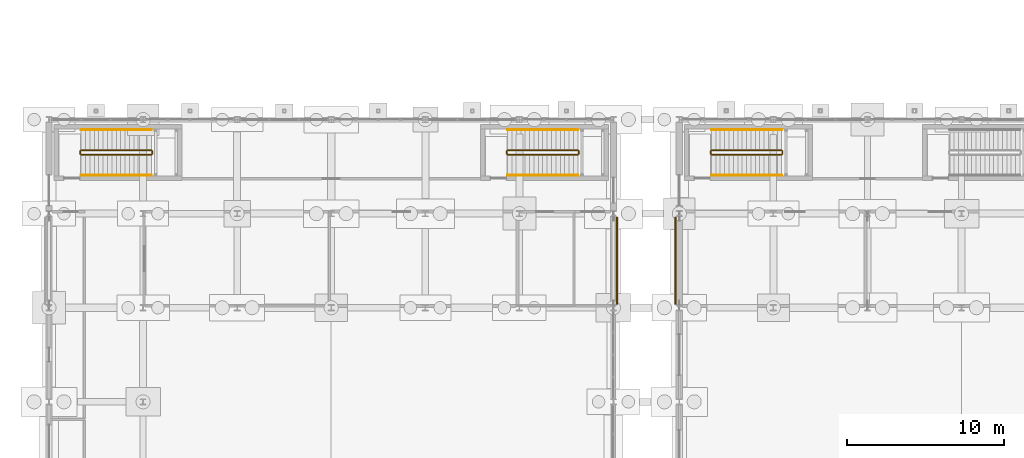
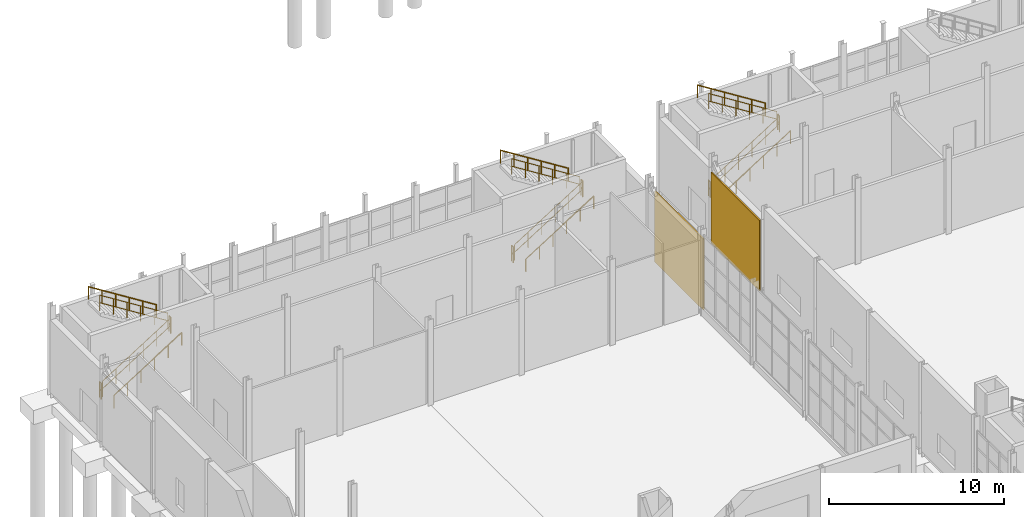
# One storey, part 112 of 120: 18 railings, 2 coverings.
"""IFC4 building model written with IfcOpenShell, lengths in metres."""

import ifcopenshell
import ifcopenshell.guid

model = None  # the IFC model being written
_history = None  # IfcOwnerHistory: only IFC2X3 demands one
_inside = {}  # id of a spatial element -> (the spatial element, [elements in it])
_under = {}  # id of a project, library or spatial element -> (it, [spatial elements below it])
_declared = {}  # id of a project -> (the project, [libraries it declares])
_typed = {}  # id of a type object -> (the type object, [elements of that type])
_made_of = {}  # id of a material, layer set ... -> (it, [elements and type objects made of it])


def new_model(schema):
    """Start an empty IFC model of exactly this schema.

    Asked for "IFC4X3", IfcOpenShell would pick the latest addendum, in which some entities
    have other attributes; the version numbers below select the first issue.
    IFC2X3 requires an IfcOwnerHistory on every rooted entity: one is made here for all.
    """
    global model, _history
    if schema == "IFC4X3":
        model = ifcopenshell.file(schema_version=(4, 3, 0, 0))
    else:
        model = ifcopenshell.file(schema=schema)
    _inside.clear()
    _under.clear()
    _declared.clear()
    _typed.clear()
    _made_of.clear()
    _history = None
    if model.schema == "IFC2X3":
        org = make("IfcOrganization", Name="unknown")
        user = make(
            "IfcPersonAndOrganization",
            ThePerson=make("IfcPerson", FamilyName="unknown"),
            TheOrganization=org,
        )
        app = make(
            "IfcApplication",
            ApplicationDeveloper=org,
            Version="unknown",
            ApplicationFullName="unknown",
            ApplicationIdentifier="unknown",
        )
        _history = make(
            "IfcOwnerHistory",
            OwningUser=user,
            OwningApplication=app,
            ChangeAction="ADDED",
            CreationDate=0,
        )
    return model


def make(cls, **values):
    """One entity of the class cls with the attributes given. An attribute that is None is left unset."""
    return model.create_entity(
        cls, **{name: value for name, value in values.items() if value is not None}
    )


def rooted(cls, **values):
    """An entity with a GlobalId (a new one), such as an element, a storey or a relation."""
    return make(cls, GlobalId=ifcopenshell.guid.new(), OwnerHistory=_history, **values)


def si_unit(unit_type, name, prefix=None):
    """IfcSIUnit, for example si_unit("LENGTHUNIT", "METRE", prefix="MILLI")."""
    return make("IfcSIUnit", UnitType=unit_type, Prefix=prefix, Name=name)


def assignment(units):
    """IfcUnitAssignment: the units of a project."""
    return None if units is None else make("IfcUnitAssignment", Units=units)


def point(xyz):
    """IfcCartesianPoint."""
    return None if xyz is None else make("IfcCartesianPoint", Coordinates=xyz)


def direction(xyz):
    """IfcDirection."""
    return None if xyz is None else make("IfcDirection", DirectionRatios=xyz)


def frame(location, z_axis=None, x_axis=None):
    """IfcAxis2Placement3D, a coordinate frame: its origin and axes. An axis left out is left unset."""
    return make(
        "IfcAxis2Placement3D",
        Location=point(location),
        Axis=direction(z_axis),
        RefDirection=direction(x_axis),
    )


def frame_2d(location, x_axis=None):
    """IfcAxis2Placement2D, a coordinate frame in the plane: its origin and x axis."""
    return make(
        "IfcAxis2Placement2D", Location=point(location), RefDirection=direction(x_axis)
    )


def origin():
    """The frame at (0, 0, 0) with its axes left unset."""
    return frame((0.0, 0.0, 0.0))


def origin_2d():
    """The frame at (0, 0) in the plane with its x axis left unset."""
    return frame_2d((0.0, 0.0))


def place(relative_to, where):
    """IfcLocalPlacement: puts the frame where relative to a parent placement (None: the world)."""
    return make(
        "IfcLocalPlacement", PlacementRelTo=relative_to, RelativePlacement=where
    )


def context(
    kind, dimensions, precision=None, world=None, true_north=None, identifier=None
):
    """IfcGeometricRepresentationContext, for example the 3D "Model" context."""
    return make(
        "IfcGeometricRepresentationContext",
        ContextIdentifier=identifier,
        ContextType=kind,
        CoordinateSpaceDimension=dimensions,
        Precision=precision,
        WorldCoordinateSystem=world,
        TrueNorth=true_north,
    )


def subcontext(parent, identifier, kind, view, scale=None):
    """IfcGeometricRepresentationSubContext, for example "Body" below "Model"."""
    return make(
        "IfcGeometricRepresentationSubContext",
        ContextIdentifier=identifier,
        ContextType=kind,
        ParentContext=parent,
        TargetScale=scale,
        TargetView=view,
    )


def project(units=None, contexts=None):
    """IfcProject with its units and contexts."""
    return rooted(
        "IfcProject",
        Name="project",
        RepresentationContexts=contexts,
        UnitsInContext=assignment(units),
    )


def spatial(cls, under=None, at=None, **own):
    """A site, building, storey or space (cls), placed at a placement, below another one or the project."""
    s = rooted(cls, ObjectPlacement=at, **own)
    if under is not None:
        _under.setdefault(under.id(), (under, []))[1].append(s)
    return s


def profile(cls, at=None, kind="AREA", **sizes):
    """A parametric profile (cls). Its sizes go by their IFC names, for example OverallWidth=200.0."""
    return make(cls, ProfileType=kind, Position=at, **sizes)


def rectangle(**sizes):
    """IfcRectangleProfileDef."""
    return profile("IfcRectangleProfileDef", **sizes)


def circle(**sizes):
    """IfcCircleProfileDef."""
    return profile("IfcCircleProfileDef", **sizes)


def extrude(swept, where, along, depth):
    """IfcExtrudedAreaSolid: the profile swept, set in the frame where, extruded along a direction by depth."""
    return make(
        "IfcExtrudedAreaSolid",
        SweptArea=swept,
        Position=where,
        ExtrudedDirection=direction(along),
        Depth=depth,
    )


def shape(context_of_items, identifier, shape_type, items):
    """IfcShapeRepresentation: the items that make up one representation, for example the "Body"."""
    return make(
        "IfcShapeRepresentation",
        ContextOfItems=context_of_items,
        RepresentationIdentifier=identifier,
        RepresentationType=shape_type,
        Items=items,
    )


def material(Name=None, Category=None):
    """IfcMaterial."""
    return make("IfcMaterial", Name=Name, Category=Category)


def layer(
    of_material, thickness, ventilated=None, Name=None, Category=None, Priority=None
):
    """IfcMaterialLayer: one layer of a wall or slab, of a material (None: an air gap)."""
    return make(
        "IfcMaterialLayer",
        Material=of_material,
        LayerThickness=thickness,
        IsVentilated=ventilated,
        Name=Name,
        Category=Category,
        Priority=Priority,
    )


def layer_set(layers, Name=None):
    """IfcMaterialLayerSet."""
    return make("IfcMaterialLayerSet", MaterialLayers=layers, LayerSetName=Name)


def made_of(thing, what):
    """Note that an element or type object is made of a material, layer set ...; save() writes the relation."""
    if what is not None:
        _made_of.setdefault(what.id(), (what, []))[1].append(thing)
    return thing


def type_object(cls, material=None, **own):
    """A type object (cls), such as IfcWallType, which elements share."""
    return made_of(rooted(cls, **own), material)


def element(
    cls,
    number,
    at=None,
    inside=None,
    cuts=None,
    type_object=None,
    material=None,
    context=None,
    identifier="Body",
    shape_type=None,
    held_by="IfcProductDefinitionShape",
    body=None,
    shapes=None,
    **own,
):
    """One element of the class cls, such as IfcWall. Its Tag is "e" and its number.

    at: its placement. inside: the storey or other place that contains it. cuts: it is an
    opening in that element (IfcRelVoidsElement). A single representation is given by context,
    identifier, shape_type and body (its items); several are given by shapes. held_by: the class
    of the entity that holds the representations. save() writes the other relations.
    """
    e = rooted(cls, Tag="e%d" % number, ObjectPlacement=at, **own)
    if body is not None:
        shapes = [shape(context, identifier, shape_type, body)]
    if shapes is not None:
        e.Representation = make(held_by, Representations=shapes)
    if inside is not None:
        _inside.setdefault(inside.id(), (inside, []))[1].append(e)
    if cuts is not None:
        rooted(
            "IfcRelVoidsElement", RelatingBuildingElement=cuts, RelatedOpeningElement=e
        )
    if type_object is not None:
        _typed.setdefault(type_object.id(), (type_object, []))[1].append(e)
    return made_of(e, material)


def aggregate(whole, parts):
    """IfcRelAggregates: a whole, such as a stair, and the parts it consists of."""
    return rooted("IfcRelAggregates", RelatingObject=whole, RelatedObjects=parts)


def save(model, path):
    """Write the relations noted so far, then the file.

    IfcRelAggregates (storeys below a building ...), IfcRelContainedInSpatialStructure (elements
    in a storey), IfcRelDefinesByType, IfcRelAssociatesMaterial and IfcRelDeclares: one each for
    every whole, place, type object, material and project.
    """
    for whole, parts in _under.values():
        aggregate(whole, parts)
    for where, things in _inside.values():
        rooted(
            "IfcRelContainedInSpatialStructure",
            RelatedElements=things,
            RelatingStructure=where,
        )
    for kind, things in _typed.values():
        rooted("IfcRelDefinesByType", RelatedObjects=things, RelatingType=kind)
    for what, things in _made_of.values():
        rooted("IfcRelAssociatesMaterial", RelatedObjects=things, RelatingMaterial=what)
    for by, libraries in _declared.values():
        rooted("IfcRelDeclares", RelatingContext=by, RelatedDefinitions=libraries)
    model.write(path)


model = new_model("IFC4")

# Units and contexts
model_context = context("Model", 3, precision=1e-05, world=origin(), true_north=direction((0.0, 1.0)))
body_context = subcontext(model_context, "Body", "Model", "MODEL_VIEW")
ifc_project = project(units=[si_unit("LENGTHUNIT", "METRE"), si_unit("AREAUNIT", "SQUARE_METRE"), si_unit("VOLUMEUNIT", "CUBIC_METRE"), si_unit("PLANEANGLEUNIT", "RADIAN"), si_unit("MASSUNIT", "GRAM", prefix="KILO")], contexts=[model_context])

# Site, building, storey
site_placement = place(None, origin())
site = spatial("IfcSite", under=ifc_project, at=site_placement, CompositionType="ELEMENT")
building_placement = place(site_placement, origin())
building = spatial("IfcBuilding", under=site, at=building_placement, Name="Siltcreek Boulevard Central Fire Station", CompositionType="ELEMENT")
storey_placement = place(building_placement, origin())
storey = spatial("IfcBuildingStorey", under=building, at=storey_placement, Name="L01", CompositionType="ELEMENT", Elevation=0.0)

# Coverings
ifc_material_1 = material(Name="Sandblasted terracotta red brick veneer", Category="masonry")
ifc_layer = layer(ifc_material_1, 0.090087890625, Name="Sandblasted terracotta red brick veneer")
ifc_layer_set = layer_set([ifc_layer], Name="Sandblasted terracotta red brick veneer")
covering_type = type_object("IfcCoveringType", Name="COV_CLAD_BRICK", PredefinedType="CLADDING", material=ifc_layer_set)
for number, where, z_axis, x_axis, name in (
    (1, (41.761962890625, 45.0, 0.0498046875), (0.0, 0.0, 1.0), (0.0, -1.0, 0.0), "L01 V1 ventilated facade cladding panel CL-001"),
    (2, (38.0380859375, 45.0, 0.0498046875), (0.0, 0.0, 1.0), (0.0, 1.0, 0.0), "L01 V4 ventilated facade cladding panel CL-021"),
):
    element("IfcCovering", number, at=place(storey_placement, frame(where, z_axis=z_axis, x_axis=x_axis)), inside=storey, type_object=covering_type, Name=name, PredefinedType="CLADDING", context=body_context, shape_type="SweptSolid", body=[
        extrude(rectangle(XDim=5.550048828125, YDim=0.090087890625, at=origin_2d()), origin(), (0.0, 0.0, 1.0), 4.944091796875),
    ])

# Railings
ifc_material_2 = material(Name="Painted galvanized steel stair guard", Category="steel")
railing_type_1 = type_object("IfcRailingType", Name="RL_ST_GUARD", PredefinedType="BALUSTRADE", material=ifc_material_2)
railing_1_placement = place(storey_placement, frame((3.85009765625, 51.75, 0.176513671875)))
element("IfcRailing", 3, at=railing_1_placement, inside=storey, type_object=railing_type_1, Name="L01 ST-V4A stair guard 1", PredefinedType="BALUSTRADE", context=body_context, shape_type="SweptSolid", body=[
    extrude(circle(Radius=0.02392578125, at=origin_2d()), frame((0.0, 0.0, 1.076171875), z_axis=(0.845997938375, 0.0, 0.533186166611), x_axis=(0.0, 1.0, 0.0)), (0.0, 0.0, 1.0), 5.29541015625),
    extrude(circle(Radius=0.02392578125, at=origin_2d()), frame((0.0, 0.0, 0.550048828125), z_axis=(0.845997938375, 0.0, 0.533186166611), x_axis=(0.0, 1.0, 0.0)), (0.0, 0.0, 1.0), 5.29541015625),
    extrude(circle(Radius=0.02099609375, at=origin_2d()), origin(), (0.0, 0.0, 1.0), 1.052001953125),
    extrude(circle(Radius=0.02099609375, at=origin_2d()), frame((0.89599609375, 0.0, 0.564697265625)), (0.0, 0.0, 1.0), 1.052001953125),
    extrude(circle(Radius=0.02099609375, at=origin_2d()), frame((1.7919921875, 0.0, 1.12939453125)), (0.0, 0.0, 1.0), 1.052001953125),
    extrude(circle(Radius=0.02099609375, at=origin_2d()), frame((2.68798828125, 0.0, 1.694091796875)), (0.0, 0.0, 1.0), 1.052001953125),
    extrude(circle(Radius=0.02099609375, at=origin_2d()), frame((3.583984375, 0.0, 2.2587890625)), (0.0, 0.0, 1.0), 1.052001953125),
    extrude(circle(Radius=0.02099609375, at=origin_2d()), frame((4.47998046875, 0.0, 2.823486328125)), (0.0, 0.0, 1.0), 1.052001953125),
])
railing_2_placement = place(storey_placement, frame((8.3798828125, 51.800048828125, 3.0)))
element("IfcRailing", 4, at=railing_2_placement, inside=storey, type_object=railing_type_1, Name="L01 ST-V4A stair guard 2", PredefinedType="BALUSTRADE", context=body_context, shape_type="SweptSolid", body=[
    extrude(circle(Radius=0.02392578125, at=origin_2d()), frame((0.0, 0.0, 1.076171875), z_axis=(0.0, 1.0, 0.0), x_axis=(-1.0, 0.0, 0.0)), (0.0, 0.0, 1.0), 0.199951171875),
    extrude(circle(Radius=0.02392578125, at=origin_2d()), frame((0.0, 0.0, 0.550048828125), z_axis=(0.0, 1.0, 0.0), x_axis=(-1.0, 0.0, 0.0)), (0.0, 0.0, 1.0), 0.199951171875),
    extrude(circle(Radius=0.02099609375, at=origin_2d()), origin(), (0.0, 0.0, 1.0), 1.052001953125),
    extrude(circle(Radius=0.02099609375, at=origin_2d()), frame((0.0, 0.199951171875, 0.0)), (0.0, 0.0, 1.0), 1.052001953125),
])
railing_3_placement = place(storey_placement, frame((8.330078125, 52.050048828125, 3.176513671875)))
element("IfcRailing", 5, at=railing_3_placement, inside=storey, type_object=railing_type_1, Name="L01 ST-V4A stair guard 3", PredefinedType="BALUSTRADE", context=body_context, shape_type="SweptSolid", body=[
    extrude(circle(Radius=0.02392578125, at=origin_2d()), frame((0.0, 0.0, 1.076171875), z_axis=(-0.845997938375, 0.0, 0.533186166611), x_axis=(0.0, -1.0, 0.0)), (0.0, 0.0, 1.0), 5.29541015625),
    extrude(circle(Radius=0.02392578125, at=origin_2d()), frame((0.0, 0.0, 0.550048828125), z_axis=(-0.845997938375, 0.0, 0.533186166611), x_axis=(0.0, -1.0, 0.0)), (0.0, 0.0, 1.0), 5.29541015625),
    extrude(circle(Radius=0.02099609375, at=origin_2d()), origin(), (0.0, 0.0, 1.0), 1.052001953125),
    extrude(circle(Radius=0.02099609375, at=origin_2d()), frame((-0.89599609375, 0.0, 0.564697265625)), (0.0, 0.0, 1.0), 1.052001953125),
    extrude(circle(Radius=0.02099609375, at=origin_2d()), frame((-1.7919921875, 0.0, 1.12939453125)), (0.0, 0.0, 1.0), 1.052001953125),
    extrude(circle(Radius=0.02099609375, at=origin_2d()), frame((-2.68798828125, 0.0, 1.694091796875)), (0.0, 0.0, 1.0), 1.052001953125),
    extrude(circle(Radius=0.02099609375, at=origin_2d()), frame((-3.583984375, 0.0, 2.2587890625)), (0.0, 0.0, 1.0), 1.052001953125),
    extrude(circle(Radius=0.02099609375, at=origin_2d()), frame((-4.47998046875, 0.0, 2.823486328125)), (0.0, 0.0, 1.0), 1.052001953125),
])
railing_4_placement = place(storey_placement, frame((3.800048828125, 51.800048828125, 0.0)))
element("IfcRailing", 6, at=railing_4_placement, inside=storey, type_object=railing_type_1, Name="L01 ST-V4A stair guard 4", PredefinedType="BALUSTRADE", context=body_context, shape_type="SweptSolid", body=[
    extrude(circle(Radius=0.02392578125, at=origin_2d()), frame((0.0, 0.0, 1.076171875), z_axis=(0.0, 1.0, 0.0), x_axis=(-1.0, 0.0, 0.0)), (0.0, 0.0, 1.0), 0.199951171875),
    extrude(circle(Radius=0.02392578125, at=origin_2d()), frame((0.0, 0.0, 0.550048828125), z_axis=(0.0, 1.0, 0.0), x_axis=(-1.0, 0.0, 0.0)), (0.0, 0.0, 1.0), 0.199951171875),
    extrude(circle(Radius=0.02099609375, at=origin_2d()), origin(), (0.0, 0.0, 1.0), 1.052001953125),
    extrude(circle(Radius=0.02099609375, at=origin_2d()), frame((0.0, 0.199951171875, 0.0)), (0.0, 0.0, 1.0), 1.052001953125),
])
railing_5_placement = place(storey_placement, frame((31.050048828125, 51.75, 0.176513671875)))
element("IfcRailing", 7, at=railing_5_placement, inside=storey, type_object=railing_type_1, Name="L01 ST-V4B stair guard 1", PredefinedType="BALUSTRADE", context=body_context, shape_type="SweptSolid", body=[
    extrude(circle(Radius=0.02392578125, at=origin_2d()), frame((0.0, 0.0, 1.076171875), z_axis=(0.845997938375, 0.0, 0.533186166611), x_axis=(0.0, 1.0, 0.0)), (0.0, 0.0, 1.0), 5.29541015625),
    extrude(circle(Radius=0.02392578125, at=origin_2d()), frame((0.0, 0.0, 0.550048828125), z_axis=(0.845997938375, 0.0, 0.533186166611), x_axis=(0.0, 1.0, 0.0)), (0.0, 0.0, 1.0), 5.29541015625),
    extrude(circle(Radius=0.02099609375, at=origin_2d()), origin(), (0.0, 0.0, 1.0), 1.052001953125),
    extrude(circle(Radius=0.02099609375, at=origin_2d()), frame((0.89599609375, 0.0, 0.564697265625)), (0.0, 0.0, 1.0), 1.052001953125),
    extrude(circle(Radius=0.02099609375, at=origin_2d()), frame((1.7919921875, 0.0, 1.12939453125)), (0.0, 0.0, 1.0), 1.052001953125),
    extrude(circle(Radius=0.02099609375, at=origin_2d()), frame((2.68798828125, 0.0, 1.694091796875)), (0.0, 0.0, 1.0), 1.052001953125),
    extrude(circle(Radius=0.02099609375, at=origin_2d()), frame((3.583984375, 0.0, 2.2587890625)), (0.0, 0.0, 1.0), 1.052001953125),
    extrude(circle(Radius=0.02099609375, at=origin_2d()), frame((4.47998046875, 0.0, 2.823486328125)), (0.0, 0.0, 1.0), 1.052001953125),
])
railing_6_placement = place(storey_placement, frame((35.580078125, 51.800048828125, 3.0)))
element("IfcRailing", 8, at=railing_6_placement, inside=storey, type_object=railing_type_1, Name="L01 ST-V4B stair guard 2", PredefinedType="BALUSTRADE", context=body_context, shape_type="SweptSolid", body=[
    extrude(circle(Radius=0.02392578125, at=origin_2d()), frame((0.0, 0.0, 1.076171875), z_axis=(0.0, 1.0, 0.0), x_axis=(-1.0, 0.0, 0.0)), (0.0, 0.0, 1.0), 0.199951171875),
    extrude(circle(Radius=0.02392578125, at=origin_2d()), frame((0.0, 0.0, 0.550048828125), z_axis=(0.0, 1.0, 0.0), x_axis=(-1.0, 0.0, 0.0)), (0.0, 0.0, 1.0), 0.199951171875),
    extrude(circle(Radius=0.02099609375, at=origin_2d()), origin(), (0.0, 0.0, 1.0), 1.052001953125),
    extrude(circle(Radius=0.02099609375, at=origin_2d()), frame((0.0, 0.199951171875, 0.0)), (0.0, 0.0, 1.0), 1.052001953125),
])
railing_7_placement = place(storey_placement, frame((35.530029296875, 52.050048828125, 3.176513671875)))
element("IfcRailing", 9, at=railing_7_placement, inside=storey, type_object=railing_type_1, Name="L01 ST-V4B stair guard 3", PredefinedType="BALUSTRADE", context=body_context, shape_type="SweptSolid", body=[
    extrude(circle(Radius=0.02392578125, at=origin_2d()), frame((0.0, 0.0, 1.076171875), z_axis=(-0.845997938375, 0.0, 0.533186166611), x_axis=(0.0, -1.0, 0.0)), (0.0, 0.0, 1.0), 5.29541015625),
    extrude(circle(Radius=0.02392578125, at=origin_2d()), frame((0.0, 0.0, 0.550048828125), z_axis=(-0.845997938375, 0.0, 0.533186166611), x_axis=(0.0, -1.0, 0.0)), (0.0, 0.0, 1.0), 5.29541015625),
    extrude(circle(Radius=0.02099609375, at=origin_2d()), origin(), (0.0, 0.0, 1.0), 1.052001953125),
    extrude(circle(Radius=0.02099609375, at=origin_2d()), frame((-0.89599609375, 0.0, 0.564697265625)), (0.0, 0.0, 1.0), 1.052001953125),
    extrude(circle(Radius=0.02099609375, at=origin_2d()), frame((-1.7919921875, 0.0, 1.12939453125)), (0.0, 0.0, 1.0), 1.052001953125),
    extrude(circle(Radius=0.02099609375, at=origin_2d()), frame((-2.68798828125, 0.0, 1.694091796875)), (0.0, 0.0, 1.0), 1.052001953125),
    extrude(circle(Radius=0.02099609375, at=origin_2d()), frame((-3.583984375, 0.0, 2.2587890625)), (0.0, 0.0, 1.0), 1.052001953125),
    extrude(circle(Radius=0.02099609375, at=origin_2d()), frame((-4.47998046875, 0.0, 2.823486328125)), (0.0, 0.0, 1.0), 1.052001953125),
])
railing_8_placement = place(storey_placement, frame((31.0, 51.800048828125, 0.0)))
element("IfcRailing", 10, at=railing_8_placement, inside=storey, type_object=railing_type_1, Name="L01 ST-V4B stair guard 4", PredefinedType="BALUSTRADE", context=body_context, shape_type="SweptSolid", body=[
    extrude(circle(Radius=0.02392578125, at=origin_2d()), frame((0.0, 0.0, 1.076171875), z_axis=(0.0, 1.0, 0.0), x_axis=(-1.0, 0.0, 0.0)), (0.0, 0.0, 1.0), 0.199951171875),
    extrude(circle(Radius=0.02392578125, at=origin_2d()), frame((0.0, 0.0, 0.550048828125), z_axis=(0.0, 1.0, 0.0), x_axis=(-1.0, 0.0, 0.0)), (0.0, 0.0, 1.0), 0.199951171875),
    extrude(circle(Radius=0.02099609375, at=origin_2d()), origin(), (0.0, 0.0, 1.0), 1.052001953125),
    extrude(circle(Radius=0.02099609375, at=origin_2d()), frame((0.0, 0.199951171875, 0.0)), (0.0, 0.0, 1.0), 1.052001953125),
])
railing_9_placement = place(storey_placement, frame((44.050048828125, 51.75, 0.176513671875)))
element("IfcRailing", 11, at=railing_9_placement, inside=storey, type_object=railing_type_1, Name="L01 ST-V1A stair guard 1", PredefinedType="BALUSTRADE", context=body_context, shape_type="SweptSolid", body=[
    extrude(circle(Radius=0.02392578125, at=origin_2d()), frame((0.0, 0.0, 1.076171875), z_axis=(0.845997938375, 0.0, 0.533186166611), x_axis=(0.0, 1.0, 0.0)), (0.0, 0.0, 1.0), 5.29541015625),
    extrude(circle(Radius=0.02392578125, at=origin_2d()), frame((0.0, 0.0, 0.550048828125), z_axis=(0.845997938375, 0.0, 0.533186166611), x_axis=(0.0, 1.0, 0.0)), (0.0, 0.0, 1.0), 5.29541015625),
    extrude(circle(Radius=0.02099609375, at=origin_2d()), origin(), (0.0, 0.0, 1.0), 1.052001953125),
    extrude(circle(Radius=0.02099609375, at=origin_2d()), frame((0.89599609375, 0.0, 0.564697265625)), (0.0, 0.0, 1.0), 1.052001953125),
    extrude(circle(Radius=0.02099609375, at=origin_2d()), frame((1.7919921875, 0.0, 1.12939453125)), (0.0, 0.0, 1.0), 1.052001953125),
    extrude(circle(Radius=0.02099609375, at=origin_2d()), frame((2.68798828125, 0.0, 1.694091796875)), (0.0, 0.0, 1.0), 1.052001953125),
    extrude(circle(Radius=0.02099609375, at=origin_2d()), frame((3.583984375, 0.0, 2.2587890625)), (0.0, 0.0, 1.0), 1.052001953125),
    extrude(circle(Radius=0.02099609375, at=origin_2d()), frame((4.47998046875, 0.0, 2.823486328125)), (0.0, 0.0, 1.0), 1.052001953125),
])
railing_10_placement = place(storey_placement, frame((48.580078125, 51.800048828125, 3.0)))
element("IfcRailing", 12, at=railing_10_placement, inside=storey, type_object=railing_type_1, Name="L01 ST-V1A stair guard 2", PredefinedType="BALUSTRADE", context=body_context, shape_type="SweptSolid", body=[
    extrude(circle(Radius=0.02392578125, at=origin_2d()), frame((0.0, 0.0, 1.076171875), z_axis=(0.0, 1.0, 0.0), x_axis=(-1.0, 0.0, 0.0)), (0.0, 0.0, 1.0), 0.199951171875),
    extrude(circle(Radius=0.02392578125, at=origin_2d()), frame((0.0, 0.0, 0.550048828125), z_axis=(0.0, 1.0, 0.0), x_axis=(-1.0, 0.0, 0.0)), (0.0, 0.0, 1.0), 0.199951171875),
    extrude(circle(Radius=0.02099609375, at=origin_2d()), origin(), (0.0, 0.0, 1.0), 1.052001953125),
    extrude(circle(Radius=0.02099609375, at=origin_2d()), frame((0.0, 0.199951171875, 0.0)), (0.0, 0.0, 1.0), 1.052001953125),
])
railing_11_placement = place(storey_placement, frame((48.530029296875, 52.050048828125, 3.176513671875)))
element("IfcRailing", 13, at=railing_11_placement, inside=storey, type_object=railing_type_1, Name="L01 ST-V1A stair guard 3", PredefinedType="BALUSTRADE", context=body_context, shape_type="SweptSolid", body=[
    extrude(circle(Radius=0.02392578125, at=origin_2d()), frame((0.0, 0.0, 1.076171875), z_axis=(-0.845997938375, 0.0, 0.533186166611), x_axis=(0.0, -1.0, 0.0)), (0.0, 0.0, 1.0), 5.29541015625),
    extrude(circle(Radius=0.02392578125, at=origin_2d()), frame((0.0, 0.0, 0.550048828125), z_axis=(-0.845997938375, 0.0, 0.533186166611), x_axis=(0.0, -1.0, 0.0)), (0.0, 0.0, 1.0), 5.29541015625),
    extrude(circle(Radius=0.02099609375, at=origin_2d()), origin(), (0.0, 0.0, 1.0), 1.052001953125),
    extrude(circle(Radius=0.02099609375, at=origin_2d()), frame((-0.89599609375, 0.0, 0.564697265625)), (0.0, 0.0, 1.0), 1.052001953125),
    extrude(circle(Radius=0.02099609375, at=origin_2d()), frame((-1.7919921875, 0.0, 1.12939453125)), (0.0, 0.0, 1.0), 1.052001953125),
    extrude(circle(Radius=0.02099609375, at=origin_2d()), frame((-2.68798828125, 0.0, 1.694091796875)), (0.0, 0.0, 1.0), 1.052001953125),
    extrude(circle(Radius=0.02099609375, at=origin_2d()), frame((-3.583984375, 0.0, 2.2587890625)), (0.0, 0.0, 1.0), 1.052001953125),
    extrude(circle(Radius=0.02099609375, at=origin_2d()), frame((-4.47998046875, 0.0, 2.823486328125)), (0.0, 0.0, 1.0), 1.052001953125),
])
railing_12_placement = place(storey_placement, frame((44.0, 51.800048828125, 0.0)))
element("IfcRailing", 14, at=railing_12_placement, inside=storey, type_object=railing_type_1, Name="L01 ST-V1A stair guard 4", PredefinedType="BALUSTRADE", context=body_context, shape_type="SweptSolid", body=[
    extrude(circle(Radius=0.02392578125, at=origin_2d()), frame((0.0, 0.0, 1.076171875), z_axis=(0.0, 1.0, 0.0), x_axis=(-1.0, 0.0, 0.0)), (0.0, 0.0, 1.0), 0.199951171875),
    extrude(circle(Radius=0.02392578125, at=origin_2d()), frame((0.0, 0.0, 0.550048828125), z_axis=(0.0, 1.0, 0.0), x_axis=(-1.0, 0.0, 0.0)), (0.0, 0.0, 1.0), 0.199951171875),
    extrude(circle(Radius=0.02099609375, at=origin_2d()), origin(), (0.0, 0.0, 1.0), 1.052001953125),
    extrude(circle(Radius=0.02099609375, at=origin_2d()), frame((0.0, 0.199951171875, 0.0)), (0.0, 0.0, 1.0), 1.052001953125),
])
ifc_material_3 = material(Name="Brushed stainless steel stair handrail", Category="steel")
railing_type_2 = type_object("IfcRailingType", Name="RL_ST_HAND", PredefinedType="HANDRAIL", material=ifc_material_3)
railing_13_placement = place(storey_placement, frame((3.85009765625, 50.449951171875, 0.176513671875)))
element("IfcRailing", 15, at=railing_13_placement, inside=storey, type_object=railing_type_2, Name="L01 ST-V4A stair handrail 1", PredefinedType="HANDRAIL", context=body_context, shape_type="SweptSolid", body=[
    extrude(circle(Radius=0.02392578125, at=origin_2d()), frame((0.0, 0.0, 0.8759765625), z_axis=(0.845997938375, 0.0, 0.533186166611), x_axis=(0.0, 1.0, 0.0)), (0.0, 0.0, 1.0), 5.29541015625),
    extrude(circle(Radius=0.02099609375, at=origin_2d()), origin(), (0.0, 0.0, 1.0), 0.851806640625),
    extrude(circle(Radius=0.02099609375, at=origin_2d()), frame((0.89599609375, 0.0, 0.564697265625)), (0.0, 0.0, 1.0), 0.851806640625),
    extrude(circle(Radius=0.02099609375, at=origin_2d()), frame((1.7919921875, 0.0, 1.12939453125)), (0.0, 0.0, 1.0), 0.851806640625),
    extrude(circle(Radius=0.02099609375, at=origin_2d()), frame((2.68798828125, 0.0, 1.694091796875)), (0.0, 0.0, 1.0), 0.851806640625),
    extrude(circle(Radius=0.02099609375, at=origin_2d()), frame((3.583984375, 0.0, 2.2587890625)), (0.0, 0.0, 1.0), 0.851806640625),
    extrude(circle(Radius=0.02099609375, at=origin_2d()), frame((4.47998046875, 0.0, 2.823486328125)), (0.0, 0.0, 1.0), 0.851806640625),
])
railing_14_placement = place(storey_placement, frame((8.330078125, 53.35009765625, 3.176513671875)))
element("IfcRailing", 16, at=railing_14_placement, inside=storey, type_object=railing_type_2, Name="L01 ST-V4A stair handrail 2", PredefinedType="HANDRAIL", context=body_context, shape_type="SweptSolid", body=[
    extrude(circle(Radius=0.02392578125, at=origin_2d()), frame((0.0, 0.0, 0.8759765625), z_axis=(-0.845997938375, 0.0, 0.533186166611), x_axis=(0.0, -1.0, 0.0)), (0.0, 0.0, 1.0), 5.29541015625),
    extrude(circle(Radius=0.02099609375, at=origin_2d()), origin(), (0.0, 0.0, 1.0), 0.851806640625),
    extrude(circle(Radius=0.02099609375, at=origin_2d()), frame((-0.89599609375, 0.0, 0.564697265625)), (0.0, 0.0, 1.0), 0.851806640625),
    extrude(circle(Radius=0.02099609375, at=origin_2d()), frame((-1.7919921875, 0.0, 1.12939453125)), (0.0, 0.0, 1.0), 0.851806640625),
    extrude(circle(Radius=0.02099609375, at=origin_2d()), frame((-2.68798828125, 0.0, 1.694091796875)), (0.0, 0.0, 1.0), 0.851806640625),
    extrude(circle(Radius=0.02099609375, at=origin_2d()), frame((-3.583984375, 0.0, 2.2587890625)), (0.0, 0.0, 1.0), 0.851806640625),
    extrude(circle(Radius=0.02099609375, at=origin_2d()), frame((-4.47998046875, 0.0, 2.823486328125)), (0.0, 0.0, 1.0), 0.851806640625),
])
railing_15_placement = place(storey_placement, frame((31.050048828125, 50.449951171875, 0.176513671875)))
element("IfcRailing", 17, at=railing_15_placement, inside=storey, type_object=railing_type_2, Name="L01 ST-V4B stair handrail 1", PredefinedType="HANDRAIL", context=body_context, shape_type="SweptSolid", body=[
    extrude(circle(Radius=0.02392578125, at=origin_2d()), frame((0.0, 0.0, 0.8759765625), z_axis=(0.845997938375, 0.0, 0.533186166611), x_axis=(0.0, 1.0, 0.0)), (0.0, 0.0, 1.0), 5.29541015625),
    extrude(circle(Radius=0.02099609375, at=origin_2d()), origin(), (0.0, 0.0, 1.0), 0.851806640625),
    extrude(circle(Radius=0.02099609375, at=origin_2d()), frame((0.89599609375, 0.0, 0.564697265625)), (0.0, 0.0, 1.0), 0.851806640625),
    extrude(circle(Radius=0.02099609375, at=origin_2d()), frame((1.7919921875, 0.0, 1.12939453125)), (0.0, 0.0, 1.0), 0.851806640625),
    extrude(circle(Radius=0.02099609375, at=origin_2d()), frame((2.68798828125, 0.0, 1.694091796875)), (0.0, 0.0, 1.0), 0.851806640625),
    extrude(circle(Radius=0.02099609375, at=origin_2d()), frame((3.583984375, 0.0, 2.2587890625)), (0.0, 0.0, 1.0), 0.851806640625),
    extrude(circle(Radius=0.02099609375, at=origin_2d()), frame((4.47998046875, 0.0, 2.823486328125)), (0.0, 0.0, 1.0), 0.851806640625),
])
railing_16_placement = place(storey_placement, frame((35.530029296875, 53.35009765625, 3.176513671875)))
element("IfcRailing", 18, at=railing_16_placement, inside=storey, type_object=railing_type_2, Name="L01 ST-V4B stair handrail 2", PredefinedType="HANDRAIL", context=body_context, shape_type="SweptSolid", body=[
    extrude(circle(Radius=0.02392578125, at=origin_2d()), frame((0.0, 0.0, 0.8759765625), z_axis=(-0.845997938375, 0.0, 0.533186166611), x_axis=(0.0, -1.0, 0.0)), (0.0, 0.0, 1.0), 5.29541015625),
    extrude(circle(Radius=0.02099609375, at=origin_2d()), origin(), (0.0, 0.0, 1.0), 0.851806640625),
    extrude(circle(Radius=0.02099609375, at=origin_2d()), frame((-0.89599609375, 0.0, 0.564697265625)), (0.0, 0.0, 1.0), 0.851806640625),
    extrude(circle(Radius=0.02099609375, at=origin_2d()), frame((-1.7919921875, 0.0, 1.12939453125)), (0.0, 0.0, 1.0), 0.851806640625),
    extrude(circle(Radius=0.02099609375, at=origin_2d()), frame((-2.68798828125, 0.0, 1.694091796875)), (0.0, 0.0, 1.0), 0.851806640625),
    extrude(circle(Radius=0.02099609375, at=origin_2d()), frame((-3.583984375, 0.0, 2.2587890625)), (0.0, 0.0, 1.0), 0.851806640625),
    extrude(circle(Radius=0.02099609375, at=origin_2d()), frame((-4.47998046875, 0.0, 2.823486328125)), (0.0, 0.0, 1.0), 0.851806640625),
])
railing_17_placement = place(storey_placement, frame((44.050048828125, 50.449951171875, 0.176513671875)))
element("IfcRailing", 19, at=railing_17_placement, inside=storey, type_object=railing_type_2, Name="L01 ST-V1A stair handrail 1", PredefinedType="HANDRAIL", context=body_context, shape_type="SweptSolid", body=[
    extrude(circle(Radius=0.02392578125, at=origin_2d()), frame((0.0, 0.0, 0.8759765625), z_axis=(0.845997938375, 0.0, 0.533186166611), x_axis=(0.0, 1.0, 0.0)), (0.0, 0.0, 1.0), 5.29541015625),
    extrude(circle(Radius=0.02099609375, at=origin_2d()), origin(), (0.0, 0.0, 1.0), 0.851806640625),
    extrude(circle(Radius=0.02099609375, at=origin_2d()), frame((0.89599609375, 0.0, 0.564697265625)), (0.0, 0.0, 1.0), 0.851806640625),
    extrude(circle(Radius=0.02099609375, at=origin_2d()), frame((1.7919921875, 0.0, 1.12939453125)), (0.0, 0.0, 1.0), 0.851806640625),
    extrude(circle(Radius=0.02099609375, at=origin_2d()), frame((2.68798828125, 0.0, 1.694091796875)), (0.0, 0.0, 1.0), 0.851806640625),
    extrude(circle(Radius=0.02099609375, at=origin_2d()), frame((3.583984375, 0.0, 2.2587890625)), (0.0, 0.0, 1.0), 0.851806640625),
    extrude(circle(Radius=0.02099609375, at=origin_2d()), frame((4.47998046875, 0.0, 2.823486328125)), (0.0, 0.0, 1.0), 0.851806640625),
])
railing_18_placement = place(storey_placement, frame((48.530029296875, 53.35009765625, 3.176513671875)))
element("IfcRailing", 20, at=railing_18_placement, inside=storey, type_object=railing_type_2, Name="L01 ST-V1A stair handrail 2", PredefinedType="HANDRAIL", context=body_context, shape_type="SweptSolid", body=[
    extrude(circle(Radius=0.02392578125, at=origin_2d()), frame((0.0, 0.0, 0.8759765625), z_axis=(-0.845997938375, 0.0, 0.533186166611), x_axis=(0.0, -1.0, 0.0)), (0.0, 0.0, 1.0), 5.29541015625),
    extrude(circle(Radius=0.02099609375, at=origin_2d()), origin(), (0.0, 0.0, 1.0), 0.851806640625),
    extrude(circle(Radius=0.02099609375, at=origin_2d()), frame((-0.89599609375, 0.0, 0.564697265625)), (0.0, 0.0, 1.0), 0.851806640625),
    extrude(circle(Radius=0.02099609375, at=origin_2d()), frame((-1.7919921875, 0.0, 1.12939453125)), (0.0, 0.0, 1.0), 0.851806640625),
    extrude(circle(Radius=0.02099609375, at=origin_2d()), frame((-2.68798828125, 0.0, 1.694091796875)), (0.0, 0.0, 1.0), 0.851806640625),
    extrude(circle(Radius=0.02099609375, at=origin_2d()), frame((-3.583984375, 0.0, 2.2587890625)), (0.0, 0.0, 1.0), 0.851806640625),
    extrude(circle(Radius=0.02099609375, at=origin_2d()), frame((-4.47998046875, 0.0, 2.823486328125)), (0.0, 0.0, 1.0), 0.851806640625),
])

save(model, "model.ifc")
